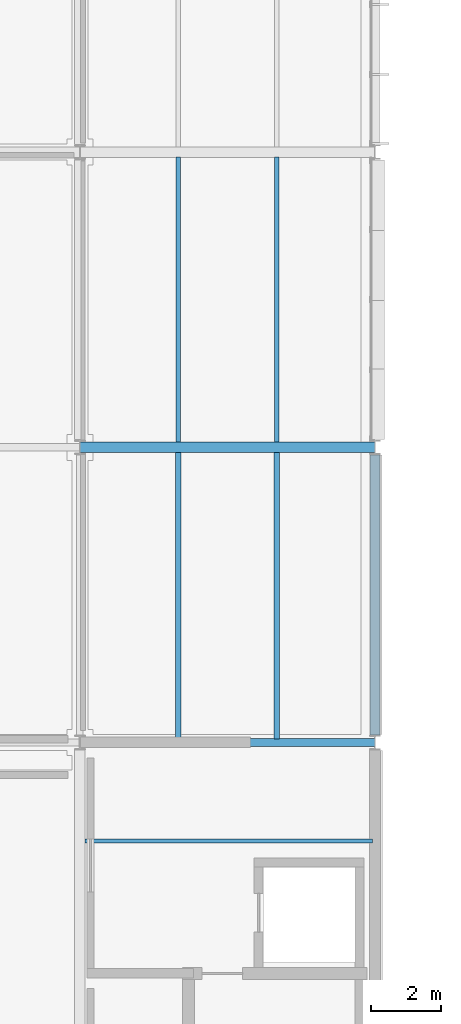
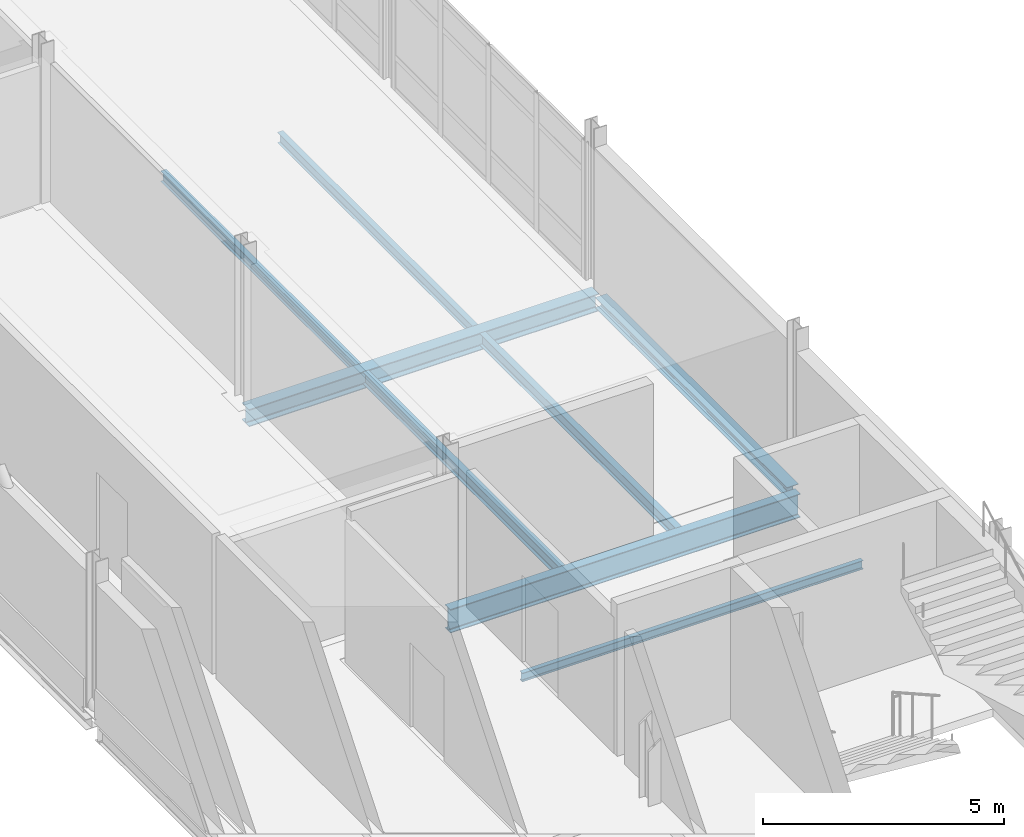
# One storey, part 86 of 131: 8 beams.
"""IFC4 building model written with IfcOpenShell, lengths in metres."""

import ifcopenshell
import ifcopenshell.guid

model = None  # the IFC model being written
_history = None  # IfcOwnerHistory: only IFC2X3 demands one
_inside = {}  # id of a spatial element -> (the spatial element, [elements in it])
_under = {}  # id of a project, library or spatial element -> (it, [spatial elements below it])
_declared = {}  # id of a project -> (the project, [libraries it declares])
_typed = {}  # id of a type object -> (the type object, [elements of that type])
_made_of = {}  # id of a material, layer set ... -> (it, [elements and type objects made of it])


def new_model(schema):
    """Start an empty IFC model of exactly this schema.

    Asked for "IFC4X3", IfcOpenShell would pick the latest addendum, in which some entities
    have other attributes; the version numbers below select the first issue.
    IFC2X3 requires an IfcOwnerHistory on every rooted entity: one is made here for all.
    """
    global model, _history
    if schema == "IFC4X3":
        model = ifcopenshell.file(schema_version=(4, 3, 0, 0))
    else:
        model = ifcopenshell.file(schema=schema)
    _inside.clear()
    _under.clear()
    _declared.clear()
    _typed.clear()
    _made_of.clear()
    _history = None
    if model.schema == "IFC2X3":
        org = make("IfcOrganization", Name="unknown")
        user = make(
            "IfcPersonAndOrganization",
            ThePerson=make("IfcPerson", FamilyName="unknown"),
            TheOrganization=org,
        )
        app = make(
            "IfcApplication",
            ApplicationDeveloper=org,
            Version="unknown",
            ApplicationFullName="unknown",
            ApplicationIdentifier="unknown",
        )
        _history = make(
            "IfcOwnerHistory",
            OwningUser=user,
            OwningApplication=app,
            ChangeAction="ADDED",
            CreationDate=0,
        )
    return model


def make(cls, **values):
    """One entity of the class cls with the attributes given. An attribute that is None is left unset."""
    return model.create_entity(
        cls, **{name: value for name, value in values.items() if value is not None}
    )


def rooted(cls, **values):
    """An entity with a GlobalId (a new one), such as an element, a storey or a relation."""
    return make(cls, GlobalId=ifcopenshell.guid.new(), OwnerHistory=_history, **values)


def si_unit(unit_type, name, prefix=None):
    """IfcSIUnit, for example si_unit("LENGTHUNIT", "METRE", prefix="MILLI")."""
    return make("IfcSIUnit", UnitType=unit_type, Prefix=prefix, Name=name)


def assignment(units):
    """IfcUnitAssignment: the units of a project."""
    return None if units is None else make("IfcUnitAssignment", Units=units)


def point(xyz):
    """IfcCartesianPoint."""
    return None if xyz is None else make("IfcCartesianPoint", Coordinates=xyz)


def direction(xyz):
    """IfcDirection."""
    return None if xyz is None else make("IfcDirection", DirectionRatios=xyz)


def frame(location, z_axis=None, x_axis=None):
    """IfcAxis2Placement3D, a coordinate frame: its origin and axes. An axis left out is left unset."""
    return make(
        "IfcAxis2Placement3D",
        Location=point(location),
        Axis=direction(z_axis),
        RefDirection=direction(x_axis),
    )


def frame_2d(location, x_axis=None):
    """IfcAxis2Placement2D, a coordinate frame in the plane: its origin and x axis."""
    return make(
        "IfcAxis2Placement2D", Location=point(location), RefDirection=direction(x_axis)
    )


def origin():
    """The frame at (0, 0, 0) with its axes left unset."""
    return frame((0.0, 0.0, 0.0))


def origin_2d():
    """The frame at (0, 0) in the plane with its x axis left unset."""
    return frame_2d((0.0, 0.0))


def place(relative_to, where):
    """IfcLocalPlacement: puts the frame where relative to a parent placement (None: the world)."""
    return make(
        "IfcLocalPlacement", PlacementRelTo=relative_to, RelativePlacement=where
    )


def context(
    kind, dimensions, precision=None, world=None, true_north=None, identifier=None
):
    """IfcGeometricRepresentationContext, for example the 3D "Model" context."""
    return make(
        "IfcGeometricRepresentationContext",
        ContextIdentifier=identifier,
        ContextType=kind,
        CoordinateSpaceDimension=dimensions,
        Precision=precision,
        WorldCoordinateSystem=world,
        TrueNorth=true_north,
    )


def subcontext(parent, identifier, kind, view, scale=None):
    """IfcGeometricRepresentationSubContext, for example "Body" below "Model"."""
    return make(
        "IfcGeometricRepresentationSubContext",
        ContextIdentifier=identifier,
        ContextType=kind,
        ParentContext=parent,
        TargetScale=scale,
        TargetView=view,
    )


def project(units=None, contexts=None):
    """IfcProject with its units and contexts."""
    return rooted(
        "IfcProject",
        Name="project",
        RepresentationContexts=contexts,
        UnitsInContext=assignment(units),
    )


def spatial(cls, under=None, at=None, **own):
    """A site, building, storey or space (cls), placed at a placement, below another one or the project."""
    s = rooted(cls, ObjectPlacement=at, **own)
    if under is not None:
        _under.setdefault(under.id(), (under, []))[1].append(s)
    return s


def profile(cls, at=None, kind="AREA", **sizes):
    """A parametric profile (cls). Its sizes go by their IFC names, for example OverallWidth=200.0."""
    return make(cls, ProfileType=kind, Position=at, **sizes)


def i_section(**sizes):
    """IfcIShapeProfileDef."""
    return profile("IfcIShapeProfileDef", **sizes)


def extrude(swept, where, along, depth):
    """IfcExtrudedAreaSolid: the profile swept, set in the frame where, extruded along a direction by depth."""
    return make(
        "IfcExtrudedAreaSolid",
        SweptArea=swept,
        Position=where,
        ExtrudedDirection=direction(along),
        Depth=depth,
    )


def shape(context_of_items, identifier, shape_type, items):
    """IfcShapeRepresentation: the items that make up one representation, for example the "Body"."""
    return make(
        "IfcShapeRepresentation",
        ContextOfItems=context_of_items,
        RepresentationIdentifier=identifier,
        RepresentationType=shape_type,
        Items=items,
    )


def material(Name=None, Category=None):
    """IfcMaterial."""
    return make("IfcMaterial", Name=Name, Category=Category)


def material_profile(
    of_material, cross_section, Name=None, Category=None, Priority=None
):
    """IfcMaterialProfile: a cross section and its material."""
    return make(
        "IfcMaterialProfile",
        Name=Name,
        Material=of_material,
        Profile=cross_section,
        Priority=Priority,
        Category=Category,
    )


def profile_set(profiles, Name=None, composite=None):
    """IfcMaterialProfileSet."""
    return make(
        "IfcMaterialProfileSet",
        Name=Name,
        MaterialProfiles=profiles,
        CompositeProfile=composite,
    )


def made_of(thing, what):
    """Note that an element or type object is made of a material, layer set ...; save() writes the relation."""
    if what is not None:
        _made_of.setdefault(what.id(), (what, []))[1].append(thing)
    return thing


def type_object(cls, material=None, **own):
    """A type object (cls), such as IfcWallType, which elements share."""
    return made_of(rooted(cls, **own), material)


def element(
    cls,
    number,
    at=None,
    inside=None,
    cuts=None,
    type_object=None,
    material=None,
    context=None,
    identifier="Body",
    shape_type=None,
    held_by="IfcProductDefinitionShape",
    body=None,
    shapes=None,
    **own,
):
    """One element of the class cls, such as IfcWall. Its Tag is "e" and its number.

    at: its placement. inside: the storey or other place that contains it. cuts: it is an
    opening in that element (IfcRelVoidsElement). A single representation is given by context,
    identifier, shape_type and body (its items); several are given by shapes. held_by: the class
    of the entity that holds the representations. save() writes the other relations.
    """
    e = rooted(cls, Tag="e%d" % number, ObjectPlacement=at, **own)
    if body is not None:
        shapes = [shape(context, identifier, shape_type, body)]
    if shapes is not None:
        e.Representation = make(held_by, Representations=shapes)
    if inside is not None:
        _inside.setdefault(inside.id(), (inside, []))[1].append(e)
    if cuts is not None:
        rooted(
            "IfcRelVoidsElement", RelatingBuildingElement=cuts, RelatedOpeningElement=e
        )
    if type_object is not None:
        _typed.setdefault(type_object.id(), (type_object, []))[1].append(e)
    return made_of(e, material)


def aggregate(whole, parts):
    """IfcRelAggregates: a whole, such as a stair, and the parts it consists of."""
    return rooted("IfcRelAggregates", RelatingObject=whole, RelatedObjects=parts)


def save(model, path):
    """Write the relations noted so far, then the file.

    IfcRelAggregates (storeys below a building ...), IfcRelContainedInSpatialStructure (elements
    in a storey), IfcRelDefinesByType, IfcRelAssociatesMaterial and IfcRelDeclares: one each for
    every whole, place, type object, material and project.
    """
    for whole, parts in _under.values():
        aggregate(whole, parts)
    for where, things in _inside.values():
        rooted(
            "IfcRelContainedInSpatialStructure",
            RelatedElements=things,
            RelatingStructure=where,
        )
    for kind, things in _typed.values():
        rooted("IfcRelDefinesByType", RelatedObjects=things, RelatingType=kind)
    for what, things in _made_of.values():
        rooted("IfcRelAssociatesMaterial", RelatedObjects=things, RelatingMaterial=what)
    for by, libraries in _declared.values():
        rooted("IfcRelDeclares", RelatingContext=by, RelatedDefinitions=libraries)
    model.write(path)


model = new_model("IFC4")

# Units and contexts
model_context = context("Model", 3, precision=1e-05, world=origin(), true_north=direction((0.0, 1.0)))
body_context = subcontext(model_context, "Body", "Model", "MODEL_VIEW")
ifc_project = project(units=[si_unit("LENGTHUNIT", "METRE"), si_unit("AREAUNIT", "SQUARE_METRE"), si_unit("VOLUMEUNIT", "CUBIC_METRE"), si_unit("PLANEANGLEUNIT", "RADIAN"), si_unit("MASSUNIT", "GRAM", prefix="KILO")], contexts=[model_context])

# Site, building, storey
site_placement = place(None, origin())
site = spatial("IfcSite", under=ifc_project, at=site_placement, CompositionType="ELEMENT")
building_placement = place(site_placement, origin())
building = spatial("IfcBuilding", under=site, at=building_placement, Name="Mersafa Astral City Hall", CompositionType="ELEMENT")
storey_placement = place(building_placement, frame((0.0, 0.0, 13.949951171875)))
storey = spatial("IfcBuildingStorey", under=building, at=storey_placement, Name="L03", CompositionType="ELEMENT", Elevation=13.949951171875)

# Beams
ifc_material = material(Name="Steel S355", Category="steel")
ifc_material_profile_1 = material_profile(ifc_material, i_section(OverallWidth=0.300048828125, OverallDepth=0.43994140625, WebThickness=0.011474609375, FlangeThickness=0.02099609375, FilletRadius=0.027099609375, at=origin_2d()), Name="HEA 450")
ifc_profile_set_1 = profile_set([ifc_material_profile_1], Name="Steel S355")
beam_type_1 = type_object("IfcBeamType", Name="STR-BM-HEA450", PredefinedType="BEAM", material=ifc_profile_set_1)
beam_1_placement = place(storey_placement, frame((168.0029296875, 75.60009765625, -0.419921875), z_axis=(1.0, 0.0, 0.0), x_axis=(0.0, 1.0, 0.0)))
element("IfcBeam", 1, at=beam_1_placement, inside=storey, type_object=beam_type_1, Name="L03 Primary girder X 20-9", PredefinedType="BEAM", context=body_context, shape_type="SweptSolid", body=[
    extrude(i_section(OverallWidth=0.300048828125, OverallDepth=0.43994140625, WebThickness=0.011474609375, FlangeThickness=0.02099609375, FilletRadius=0.027099609375, at=origin_2d()), origin(), (0.0, 0.0, 1.0), 8.39404296875),
])
ifc_material_profile_2 = material_profile(ifc_material, i_section(OverallWidth=0.219970703125, OverallDepth=0.60009765625, WebThickness=0.011962890625, FlangeThickness=0.01904296875, FilletRadius=0.02392578125, at=origin_2d()), Name="IPE 600")
ifc_profile_set_2 = profile_set([ifc_material_profile_2], Name="Steel S355")
beam_type_2 = type_object("IfcBeamType", Name="STR-BM-IPE600", PredefinedType="BEAM", material=ifc_profile_set_2)
beam_2_placement = place(storey_placement, frame((168.0029296875, 67.199951171875, -0.5), z_axis=(1.0, 0.0, 0.0), x_axis=(0.0, 1.0, 0.0)))
element("IfcBeam", 2, at=beam_2_placement, inside=storey, type_object=beam_type_2, Name="L03 Primary girder X 20-8", PredefinedType="BEAM", context=body_context, shape_type="SweptSolid", body=[
    extrude(i_section(OverallWidth=0.219970703125, OverallDepth=0.60009765625, WebThickness=0.011962890625, FlangeThickness=0.01904296875, FilletRadius=0.02392578125, at=origin_2d()), origin(), (0.0, 0.0, 1.0), 8.39404296875),
])
ifc_material_profile_3 = material_profile(ifc_material, i_section(OverallWidth=0.110107421875, OverallDepth=0.219970703125, WebThickness=0.005859375, FlangeThickness=0.00927734375, FilletRadius=0.011962890625, at=origin_2d()), Name="IPE 220")
ifc_profile_set_3 = profile_set([ifc_material_profile_3], Name="Steel S355")
beam_type_3 = type_object("IfcBeamType", Name="STR-BM-JOIST-IPE220", PredefinedType="JOIST", material=ifc_profile_set_3)
beam_3_placement = place(storey_placement, frame((168.14501953125, 64.39990234375, -0.31005859375), z_axis=(1.0, 0.0, 0.0), x_axis=(0.0, 1.0, 0.0)))
element("IfcBeam", 3, at=beam_3_placement, inside=storey, type_object=beam_type_3, Name="L03 Composite secondary floor joist 670", PredefinedType="JOIST", context=body_context, shape_type="SweptSolid", body=[
    extrude(i_section(OverallWidth=0.110107421875, OverallDepth=0.219970703125, WebThickness=0.005859375, FlangeThickness=0.00927734375, FilletRadius=0.011962890625, at=origin_2d()), origin(), (0.0, 0.0, 1.0), 8.175048828125),
])
ifc_material_profile_4 = material_profile(ifc_material, i_section(OverallWidth=0.135009765625, OverallDepth=0.27001953125, WebThickness=0.006591796875, FlangeThickness=0.01025390625, FilletRadius=0.014892578125, at=origin_2d()), Name="IPE 270")
ifc_profile_set_4 = profile_set([ifc_material_profile_4], Name="Steel S355")
beam_type_4 = type_object("IfcBeamType", Name="STR-BM-JOIST-IPE270", PredefinedType="JOIST", material=ifc_profile_set_4)
for number, where, z_axis, x_axis, name in (
    (4, (170.800048828125, 75.7451171875, -0.3349609375), (0.0, 1.0, 0.0), (-1.0, 0.0, 0.0), "L03 Composite secondary floor joist 673"),
    (5, (173.60009765625, 75.7451171875, -0.3349609375), (0.0, 1.0, 0.0), (-1.0, 0.0, 0.0), "L03 Composite secondary floor joist 674"),
):
    element("IfcBeam", number, at=place(storey_placement, frame(where, z_axis=z_axis, x_axis=x_axis)), inside=storey, type_object=beam_type_4, Name=name, PredefinedType="JOIST", context=body_context, shape_type="SweptSolid", body=[
        extrude(i_section(OverallWidth=0.135009765625, OverallDepth=0.27001953125, WebThickness=0.006591796875, FlangeThickness=0.01025390625, FilletRadius=0.014892578125, at=origin_2d()), origin(), (0.0, 0.0, 1.0), 8.10986328125),
    ])
ifc_material_profile_5 = material_profile(ifc_material, i_section(OverallWidth=0.14990234375, OverallDepth=0.300048828125, WebThickness=0.007080078125, FlangeThickness=0.0107421875, FilletRadius=0.014892578125, at=origin_2d()), Name="IPE 300")
ifc_profile_set_5 = profile_set([ifc_material_profile_5], Name="Steel S355")
beam_type_5 = type_object("IfcBeamType", Name="STR-BM-JOIST-IPE300", PredefinedType="JOIST", material=ifc_profile_set_5)
for number, where, z_axis, x_axis, name in (
    (6, (170.800048828125, 67.304931640625, -0.349853515625), (0.0, 1.0, 0.0), (-1.0, 0.0, 0.0), "L03 Composite secondary floor joist 671"),
    (7, (173.60009765625, 67.304931640625, -0.349853515625), (0.0, 1.0, 0.0), (-1.0, 0.0, 0.0), "L03 Composite secondary floor joist 672"),
):
    element("IfcBeam", number, at=place(storey_placement, frame(where, z_axis=z_axis, x_axis=x_axis)), inside=storey, type_object=beam_type_5, Name=name, PredefinedType="JOIST", context=body_context, shape_type="SweptSolid", body=[
        extrude(i_section(OverallWidth=0.14990234375, OverallDepth=0.300048828125, WebThickness=0.007080078125, FlangeThickness=0.0107421875, FilletRadius=0.014892578125, at=origin_2d()), origin(), (0.0, 0.0, 1.0), 8.150146484375),
    ])
ifc_material_profile_6 = material_profile(ifc_material, i_section(OverallWidth=0.280029296875, OverallDepth=0.27001953125, WebThickness=0.008056640625, FlangeThickness=0.012939453125, FilletRadius=0.02392578125, at=origin_2d()), Name="HEA 280")
ifc_profile_set_6 = profile_set([ifc_material_profile_6], Name="Steel S355")
beam_type_6 = type_object("IfcBeamType", Name="STR-BM-SPANDREL-HEA280", PredefinedType="SPANDREL", material=ifc_profile_set_6)
beam_4_placement = place(storey_placement, frame((176.39990234375, 67.419921875, -0.3349609375), z_axis=(0.0, 1.0, 0.0), x_axis=(-1.0, 0.0, 0.0)))
element("IfcBeam", 8, at=beam_4_placement, inside=storey, type_object=beam_type_6, Name="L03 Primary girder Y 21-8", PredefinedType="SPANDREL", context=body_context, shape_type="SweptSolid", body=[
    extrude(i_section(OverallWidth=0.280029296875, OverallDepth=0.27001953125, WebThickness=0.008056640625, FlangeThickness=0.012939453125, FilletRadius=0.02392578125, at=origin_2d()), origin(), (0.0, 0.0, 1.0), 7.9599609375),
])

save(model, "model.ifc")
